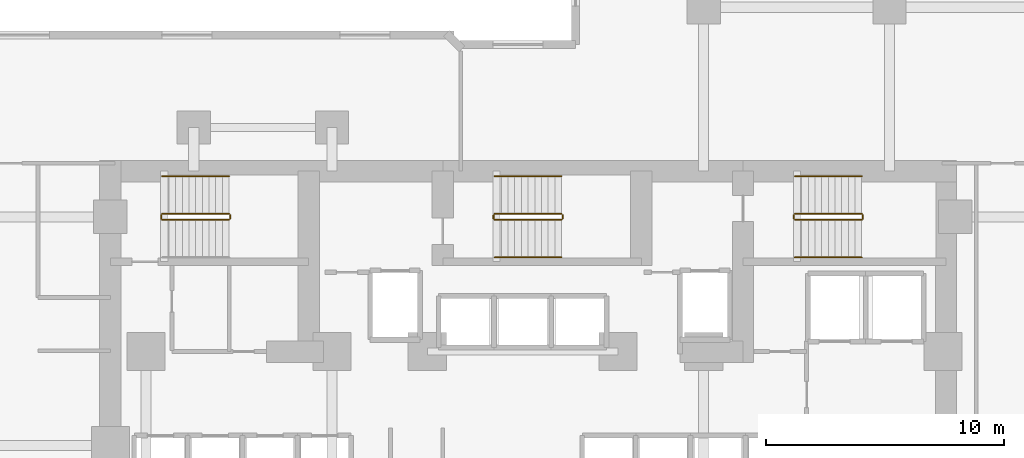
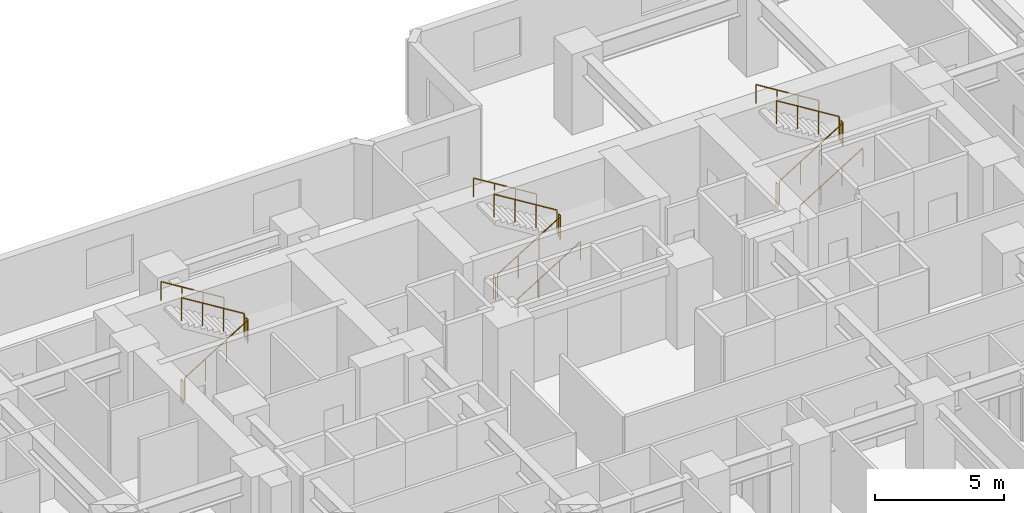
# One storey, part 12 of 12: 17 railings.
"""IFC4 building model written with IfcOpenShell, lengths in metres."""

from ifc_helpers import new_model, si_unit, direction, frame, origin, origin_2d, place, context, subcontext, project, spatial, circle, extrude, material, type_object, element, save


model = new_model("IFC4")

# Units and contexts
model_context = context("Model", 3, precision=1e-05, world=origin(), true_north=direction((0.0, 1.0)))
body_context = subcontext(model_context, "Body", "Model", "MODEL_VIEW")
ifc_project = project(units=[si_unit("LENGTHUNIT", "METRE"), si_unit("AREAUNIT", "SQUARE_METRE"), si_unit("VOLUMEUNIT", "CUBIC_METRE"), si_unit("PLANEANGLEUNIT", "RADIAN"), si_unit("MASSUNIT", "GRAM", prefix="KILO")], contexts=[model_context])

# Site, building, storey
site_placement = place(None, origin())
site = spatial("IfcSite", under=ifc_project, at=site_placement, CompositionType="ELEMENT")
building_placement = place(site_placement, origin())
building = spatial("IfcBuilding", under=site, at=building_placement, Name="Kestravale Grand Hotel", CompositionType="ELEMENT")
storey_placement = place(building_placement, frame((0.0, 0.0, 33.60009765625)))
storey = spatial("IfcBuildingStorey", under=building, at=storey_placement, Name="L07", CompositionType="ELEMENT", Elevation=33.60009765625)

# Railings
ifc_material_1 = material(Name="Painted tubular steel stair well guard", Category="steel")
railing_type_1 = type_object("IfcRailingType", Name="RL-ST-GRD1100", PredefinedType="GUARDRAIL", material=ifc_material_1)
railing_1_placement = place(storey_placement, frame((24.080078125, 38.280029296875, 0.172607421875)))
element("IfcRailing", 1, at=railing_1_placement, inside=storey, type_object=railing_type_1, Name="L07 ST-1 stair guard 1", PredefinedType="GUARDRAIL", context=body_context, shape_type="SweptSolid", body=[
    extrude(circle(Radius=0.02392578125, at=origin_2d()), frame((0.0, 0.0, 1.076171875), z_axis=(0.851069175582, 0.0, 0.525053576669), x_axis=(0.0, 1.0, 0.0)), (0.0, 0.0, 1.0), 3.289794921875),
    extrude(circle(Radius=0.02099609375, at=origin_2d()), origin(), (0.0, 0.0, 1.0), 1.052001953125),
    extrude(circle(Radius=0.02099609375, at=origin_2d()), frame((0.933349609375, 0.0, 0.57568359375)), (0.0, 0.0, 1.0), 1.052001953125),
    extrude(circle(Radius=0.02099609375, at=origin_2d()), frame((1.866455078125, 0.0, 1.151611328125)), (0.0, 0.0, 1.0), 1.052001953125),
    extrude(circle(Radius=0.02099609375, at=origin_2d()), frame((2.7998046875, 0.0, 1.727294921875)), (0.0, 0.0, 1.0), 1.052001953125),
])
railing_2_placement = place(storey_placement, frame((26.929931640625, 38.330078125, 1.89990234375)))
element("IfcRailing", 2, at=railing_2_placement, inside=storey, type_object=railing_type_1, Name="L07 ST-1 stair guard 2", PredefinedType="GUARDRAIL", context=body_context, shape_type="SweptSolid", body=[
    extrude(circle(Radius=0.02392578125, at=origin_2d()), frame((0.0, 0.0, 1.076171875), z_axis=(0.0, 1.0, 0.0), x_axis=(-1.0, 0.0, 0.0)), (0.0, 0.0, 1.0), 0.14990234375),
    extrude(circle(Radius=0.02099609375, at=origin_2d()), origin(), (0.0, 0.0, 1.0), 1.052001953125),
    extrude(circle(Radius=0.02099609375, at=origin_2d()), frame((0.0, 0.14990234375, 0.0)), (0.0, 0.0, 1.0), 1.052001953125),
])
railing_3_placement = place(storey_placement, frame((26.8798828125, 38.530029296875, 2.072509765625)))
element("IfcRailing", 3, at=railing_3_placement, inside=storey, type_object=railing_type_1, Name="L07 ST-1 stair guard 3", PredefinedType="GUARDRAIL", context=body_context, shape_type="SweptSolid", body=[
    extrude(circle(Radius=0.02392578125, at=origin_2d()), frame((0.0, 0.0, 1.076171875), z_axis=(-0.851069175582, 0.0, 0.525053576669), x_axis=(0.0, -1.0, 0.0)), (0.0, 0.0, 1.0), 3.289794921875),
    extrude(circle(Radius=0.02099609375, at=origin_2d()), origin(), (0.0, 0.0, 1.0), 1.052001953125),
    extrude(circle(Radius=0.02099609375, at=origin_2d()), frame((-0.933349609375, 0.0, 0.57568359375)), (0.0, 0.0, 1.0), 1.052001953125),
    extrude(circle(Radius=0.02099609375, at=origin_2d()), frame((-1.866455078125, 0.0, 1.151611328125)), (0.0, 0.0, 1.0), 1.052001953125),
    extrude(circle(Radius=0.02099609375, at=origin_2d()), frame((-2.7998046875, 0.0, 1.727294921875)), (0.0, 0.0, 1.0), 1.052001953125),
])
railing_4_placement = place(storey_placement, frame((24.030029296875, 38.330078125, 0.0)))
element("IfcRailing", 4, at=railing_4_placement, inside=storey, type_object=railing_type_1, Name="L07 ST-1 stair guard 4", PredefinedType="GUARDRAIL", context=body_context, shape_type="SweptSolid", body=[
    extrude(circle(Radius=0.02392578125, at=origin_2d()), frame((0.0, 0.0, 1.076171875), z_axis=(0.0, 1.0, 0.0), x_axis=(-1.0, 0.0, 0.0)), (0.0, 0.0, 1.0), 0.14990234375),
    extrude(circle(Radius=0.02099609375, at=origin_2d()), origin(), (0.0, 0.0, 1.0), 1.052001953125),
    extrude(circle(Radius=0.02099609375, at=origin_2d()), frame((0.0, 0.14990234375, 0.0)), (0.0, 0.0, 1.0), 1.052001953125),
])
railing_5_placement = place(storey_placement, frame((38.030029296875, 38.280029296875, 0.172607421875)))
element("IfcRailing", 5, at=railing_5_placement, inside=storey, type_object=railing_type_1, Name="L07 ST-2 stair guard 1", PredefinedType="GUARDRAIL", context=body_context, shape_type="SweptSolid", body=[
    extrude(circle(Radius=0.02392578125, at=origin_2d()), frame((0.0, 0.0, 1.076171875), z_axis=(0.851089632645, 0.0, 0.525020415988), x_axis=(0.0, 1.0, 0.0)), (0.0, 0.0, 1.0), 3.2900390625),
    extrude(circle(Radius=0.02099609375, at=origin_2d()), origin(), (0.0, 0.0, 1.0), 1.052001953125),
    extrude(circle(Radius=0.02099609375, at=origin_2d()), frame((0.933349609375, 0.0, 0.57568359375)), (0.0, 0.0, 1.0), 1.052001953125),
    extrude(circle(Radius=0.02099609375, at=origin_2d()), frame((1.86669921875, 0.0, 1.151611328125)), (0.0, 0.0, 1.0), 1.052001953125),
    extrude(circle(Radius=0.02099609375, at=origin_2d()), frame((2.800048828125, 0.0, 1.727294921875)), (0.0, 0.0, 1.0), 1.052001953125),
])
railing_6_placement = place(storey_placement, frame((40.8798828125, 38.330078125, 1.89990234375)))
element("IfcRailing", 6, at=railing_6_placement, inside=storey, type_object=railing_type_1, Name="L07 ST-2 stair guard 2", PredefinedType="GUARDRAIL", context=body_context, shape_type="SweptSolid", body=[
    extrude(circle(Radius=0.02392578125, at=origin_2d()), frame((0.0, 0.0, 1.076171875), z_axis=(0.0, 1.0, 0.0), x_axis=(-1.0, 0.0, 0.0)), (0.0, 0.0, 1.0), 0.14990234375),
    extrude(circle(Radius=0.02099609375, at=origin_2d()), origin(), (0.0, 0.0, 1.0), 1.052001953125),
    extrude(circle(Radius=0.02099609375, at=origin_2d()), frame((0.0, 0.14990234375, 0.0)), (0.0, 0.0, 1.0), 1.052001953125),
])
railing_7_placement = place(storey_placement, frame((40.830078125, 38.530029296875, 2.072509765625)))
element("IfcRailing", 7, at=railing_7_placement, inside=storey, type_object=railing_type_1, Name="L07 ST-2 stair guard 3", PredefinedType="GUARDRAIL", context=body_context, shape_type="SweptSolid", body=[
    extrude(circle(Radius=0.02392578125, at=origin_2d()), frame((0.0, 0.0, 1.076171875), z_axis=(-0.851089632645, 0.0, 0.525020415988), x_axis=(0.0, -1.0, 0.0)), (0.0, 0.0, 1.0), 3.2900390625),
    extrude(circle(Radius=0.02099609375, at=origin_2d()), origin(), (0.0, 0.0, 1.0), 1.052001953125),
    extrude(circle(Radius=0.02099609375, at=origin_2d()), frame((-0.933349609375, 0.0, 0.57568359375)), (0.0, 0.0, 1.0), 1.052001953125),
    extrude(circle(Radius=0.02099609375, at=origin_2d()), frame((-1.86669921875, 0.0, 1.151611328125)), (0.0, 0.0, 1.0), 1.052001953125),
    extrude(circle(Radius=0.02099609375, at=origin_2d()), frame((-2.800048828125, 0.0, 1.727294921875)), (0.0, 0.0, 1.0), 1.052001953125),
])
railing_8_placement = place(storey_placement, frame((37.97998046875, 38.330078125, 0.0)))
element("IfcRailing", 8, at=railing_8_placement, inside=storey, type_object=railing_type_1, Name="L07 ST-2 stair guard 4", PredefinedType="GUARDRAIL", context=body_context, shape_type="SweptSolid", body=[
    extrude(circle(Radius=0.02392578125, at=origin_2d()), frame((0.0, 0.0, 1.076171875), z_axis=(0.0, 1.0, 0.0), x_axis=(-1.0, 0.0, 0.0)), (0.0, 0.0, 1.0), 0.14990234375),
    extrude(circle(Radius=0.02099609375, at=origin_2d()), origin(), (0.0, 0.0, 1.0), 1.052001953125),
    extrude(circle(Radius=0.02099609375, at=origin_2d()), frame((0.0, 0.14990234375, 0.0)), (0.0, 0.0, 1.0), 1.052001953125),
])
railing_9_placement = place(storey_placement, frame((50.6298828125, 38.280029296875, 0.172607421875)))
element("IfcRailing", 9, at=railing_9_placement, inside=storey, type_object=railing_type_1, Name="L07 ST-3 stair guard 1", PredefinedType="GUARDRAIL", context=body_context, shape_type="SweptSolid", body=[
    extrude(circle(Radius=0.02392578125, at=origin_2d()), frame((0.0, 0.0, 1.076171875), z_axis=(0.851089632645, 0.0, 0.525020415988), x_axis=(0.0, 1.0, 0.0)), (0.0, 0.0, 1.0), 3.2900390625),
    extrude(circle(Radius=0.02099609375, at=origin_2d()), origin(), (0.0, 0.0, 1.0), 1.052001953125),
    extrude(circle(Radius=0.02099609375, at=origin_2d()), frame((0.933349609375, 0.0, 0.57568359375)), (0.0, 0.0, 1.0), 1.052001953125),
    extrude(circle(Radius=0.02099609375, at=origin_2d()), frame((1.86669921875, 0.0, 1.151611328125)), (0.0, 0.0, 1.0), 1.052001953125),
    extrude(circle(Radius=0.02099609375, at=origin_2d()), frame((2.800048828125, 0.0, 1.727294921875)), (0.0, 0.0, 1.0), 1.052001953125),
])
railing_10_placement = place(storey_placement, frame((53.47998046875, 38.330078125, 1.89990234375)))
element("IfcRailing", 10, at=railing_10_placement, inside=storey, type_object=railing_type_1, Name="L07 ST-3 stair guard 2", PredefinedType="GUARDRAIL", context=body_context, shape_type="SweptSolid", body=[
    extrude(circle(Radius=0.02392578125, at=origin_2d()), frame((0.0, 0.0, 1.076171875), z_axis=(0.0, 1.0, 0.0), x_axis=(-1.0, 0.0, 0.0)), (0.0, 0.0, 1.0), 0.14990234375),
    extrude(circle(Radius=0.02099609375, at=origin_2d()), origin(), (0.0, 0.0, 1.0), 1.052001953125),
    extrude(circle(Radius=0.02099609375, at=origin_2d()), frame((0.0, 0.14990234375, 0.0)), (0.0, 0.0, 1.0), 1.052001953125),
])
railing_11_placement = place(storey_placement, frame((53.429931640625, 38.530029296875, 2.072509765625)))
element("IfcRailing", 11, at=railing_11_placement, inside=storey, type_object=railing_type_1, Name="L07 ST-3 stair guard 3", PredefinedType="GUARDRAIL", context=body_context, shape_type="SweptSolid", body=[
    extrude(circle(Radius=0.02392578125, at=origin_2d()), frame((0.0, 0.0, 1.076171875), z_axis=(-0.851089632645, 0.0, 0.525020415988), x_axis=(0.0, -1.0, 0.0)), (0.0, 0.0, 1.0), 3.2900390625),
    extrude(circle(Radius=0.02099609375, at=origin_2d()), origin(), (0.0, 0.0, 1.0), 1.052001953125),
    extrude(circle(Radius=0.02099609375, at=origin_2d()), frame((-0.933349609375, 0.0, 0.57568359375)), (0.0, 0.0, 1.0), 1.052001953125),
    extrude(circle(Radius=0.02099609375, at=origin_2d()), frame((-1.86669921875, 0.0, 1.151611328125)), (0.0, 0.0, 1.0), 1.052001953125),
    extrude(circle(Radius=0.02099609375, at=origin_2d()), frame((-2.800048828125, 0.0, 1.727294921875)), (0.0, 0.0, 1.0), 1.052001953125),
])
railing_12_placement = place(storey_placement, frame((50.580078125, 38.330078125, 0.0)))
element("IfcRailing", 12, at=railing_12_placement, inside=storey, type_object=railing_type_1, Name="L07 ST-3 stair guard 4", PredefinedType="GUARDRAIL", context=body_context, shape_type="SweptSolid", body=[
    extrude(circle(Radius=0.02392578125, at=origin_2d()), frame((0.0, 0.0, 1.076171875), z_axis=(0.0, 1.0, 0.0), x_axis=(-1.0, 0.0, 0.0)), (0.0, 0.0, 1.0), 0.14990234375),
    extrude(circle(Radius=0.02099609375, at=origin_2d()), origin(), (0.0, 0.0, 1.0), 1.052001953125),
    extrude(circle(Radius=0.02099609375, at=origin_2d()), frame((0.0, 0.14990234375, 0.0)), (0.0, 0.0, 1.0), 1.052001953125),
])
ifc_material_2 = material(Name="Brushed stainless steel wall handrail", Category="steel")
railing_type_2 = type_object("IfcRailingType", Name="RL-ST-HND900", PredefinedType="HANDRAIL", material=ifc_material_2)
railing_13_placement = place(storey_placement, frame((26.8798828125, 40.110107421875, 2.072509765625)))
element("IfcRailing", 13, at=railing_13_placement, inside=storey, type_object=railing_type_2, Name="L07 ST-1 stair handrail 2", PredefinedType="HANDRAIL", context=body_context, shape_type="SweptSolid", body=[
    extrude(circle(Radius=0.02392578125, at=origin_2d()), frame((0.0, 0.0, 0.8759765625), z_axis=(-0.851069175582, 0.0, 0.525053576669), x_axis=(0.0, -1.0, 0.0)), (0.0, 0.0, 1.0), 3.289794921875),
    extrude(circle(Radius=0.02099609375, at=origin_2d()), origin(), (0.0, 0.0, 1.0), 0.851806640625),
    extrude(circle(Radius=0.02099609375, at=origin_2d()), frame((-0.933349609375, 0.0, 0.57568359375)), (0.0, 0.0, 1.0), 0.851806640625),
    extrude(circle(Radius=0.02099609375, at=origin_2d()), frame((-1.866455078125, 0.0, 1.151611328125)), (0.0, 0.0, 1.0), 0.851806640625),
    extrude(circle(Radius=0.02099609375, at=origin_2d()), frame((-2.7998046875, 0.0, 1.727294921875)), (0.0, 0.0, 1.0), 0.851806640625),
])
railing_14_placement = place(storey_placement, frame((38.030029296875, 36.699951171875, 0.172607421875)))
element("IfcRailing", 14, at=railing_14_placement, inside=storey, type_object=railing_type_2, Name="L07 ST-2 stair handrail 1", PredefinedType="HANDRAIL", context=body_context, shape_type="SweptSolid", body=[
    extrude(circle(Radius=0.02392578125, at=origin_2d()), frame((0.0, 0.0, 0.8759765625), z_axis=(0.851089632645, 0.0, 0.525020415988), x_axis=(0.0, 1.0, 0.0)), (0.0, 0.0, 1.0), 3.2900390625),
    extrude(circle(Radius=0.02099609375, at=origin_2d()), origin(), (0.0, 0.0, 1.0), 0.851806640625),
    extrude(circle(Radius=0.02099609375, at=origin_2d()), frame((0.933349609375, 0.0, 0.57568359375)), (0.0, 0.0, 1.0), 0.851806640625),
    extrude(circle(Radius=0.02099609375, at=origin_2d()), frame((1.86669921875, 0.0, 1.151611328125)), (0.0, 0.0, 1.0), 0.851806640625),
    extrude(circle(Radius=0.02099609375, at=origin_2d()), frame((2.800048828125, 0.0, 1.727294921875)), (0.0, 0.0, 1.0), 0.851806640625),
])
railing_15_placement = place(storey_placement, frame((40.830078125, 40.110107421875, 2.072509765625)))
element("IfcRailing", 15, at=railing_15_placement, inside=storey, type_object=railing_type_2, Name="L07 ST-2 stair handrail 2", PredefinedType="HANDRAIL", context=body_context, shape_type="SweptSolid", body=[
    extrude(circle(Radius=0.02392578125, at=origin_2d()), frame((0.0, 0.0, 0.8759765625), z_axis=(-0.851089632645, 0.0, 0.525020415988), x_axis=(0.0, -1.0, 0.0)), (0.0, 0.0, 1.0), 3.2900390625),
    extrude(circle(Radius=0.02099609375, at=origin_2d()), origin(), (0.0, 0.0, 1.0), 0.851806640625),
    extrude(circle(Radius=0.02099609375, at=origin_2d()), frame((-0.933349609375, 0.0, 0.57568359375)), (0.0, 0.0, 1.0), 0.851806640625),
    extrude(circle(Radius=0.02099609375, at=origin_2d()), frame((-1.86669921875, 0.0, 1.151611328125)), (0.0, 0.0, 1.0), 0.851806640625),
    extrude(circle(Radius=0.02099609375, at=origin_2d()), frame((-2.800048828125, 0.0, 1.727294921875)), (0.0, 0.0, 1.0), 0.851806640625),
])
railing_16_placement = place(storey_placement, frame((50.6298828125, 36.699951171875, 0.172607421875)))
element("IfcRailing", 16, at=railing_16_placement, inside=storey, type_object=railing_type_2, Name="L07 ST-3 stair handrail 1", PredefinedType="HANDRAIL", context=body_context, shape_type="SweptSolid", body=[
    extrude(circle(Radius=0.02392578125, at=origin_2d()), frame((0.0, 0.0, 0.8759765625), z_axis=(0.851089632645, 0.0, 0.525020415988), x_axis=(0.0, 1.0, 0.0)), (0.0, 0.0, 1.0), 3.2900390625),
    extrude(circle(Radius=0.02099609375, at=origin_2d()), origin(), (0.0, 0.0, 1.0), 0.851806640625),
    extrude(circle(Radius=0.02099609375, at=origin_2d()), frame((0.933349609375, 0.0, 0.57568359375)), (0.0, 0.0, 1.0), 0.851806640625),
    extrude(circle(Radius=0.02099609375, at=origin_2d()), frame((1.86669921875, 0.0, 1.151611328125)), (0.0, 0.0, 1.0), 0.851806640625),
    extrude(circle(Radius=0.02099609375, at=origin_2d()), frame((2.800048828125, 0.0, 1.727294921875)), (0.0, 0.0, 1.0), 0.851806640625),
])
railing_17_placement = place(storey_placement, frame((53.429931640625, 40.110107421875, 2.072509765625)))
element("IfcRailing", 17, at=railing_17_placement, inside=storey, type_object=railing_type_2, Name="L07 ST-3 stair handrail 2", PredefinedType="HANDRAIL", context=body_context, shape_type="SweptSolid", body=[
    extrude(circle(Radius=0.02392578125, at=origin_2d()), frame((0.0, 0.0, 0.8759765625), z_axis=(-0.851089632645, 0.0, 0.525020415988), x_axis=(0.0, -1.0, 0.0)), (0.0, 0.0, 1.0), 3.2900390625),
    extrude(circle(Radius=0.02099609375, at=origin_2d()), origin(), (0.0, 0.0, 1.0), 0.851806640625),
    extrude(circle(Radius=0.02099609375, at=origin_2d()), frame((-0.933349609375, 0.0, 0.57568359375)), (0.0, 0.0, 1.0), 0.851806640625),
    extrude(circle(Radius=0.02099609375, at=origin_2d()), frame((-1.86669921875, 0.0, 1.151611328125)), (0.0, 0.0, 1.0), 0.851806640625),
    extrude(circle(Radius=0.02099609375, at=origin_2d()), frame((-2.800048828125, 0.0, 1.727294921875)), (0.0, 0.0, 1.0), 0.851806640625),
])

save(model, "model.ifc")
